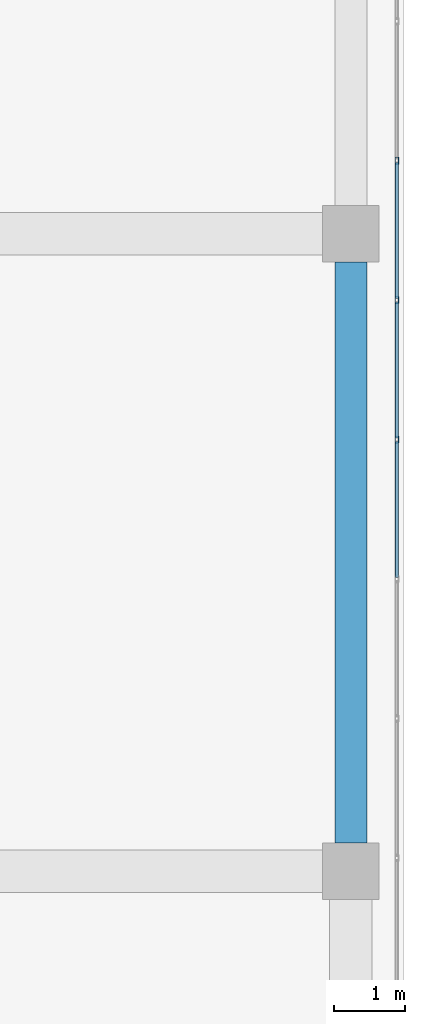
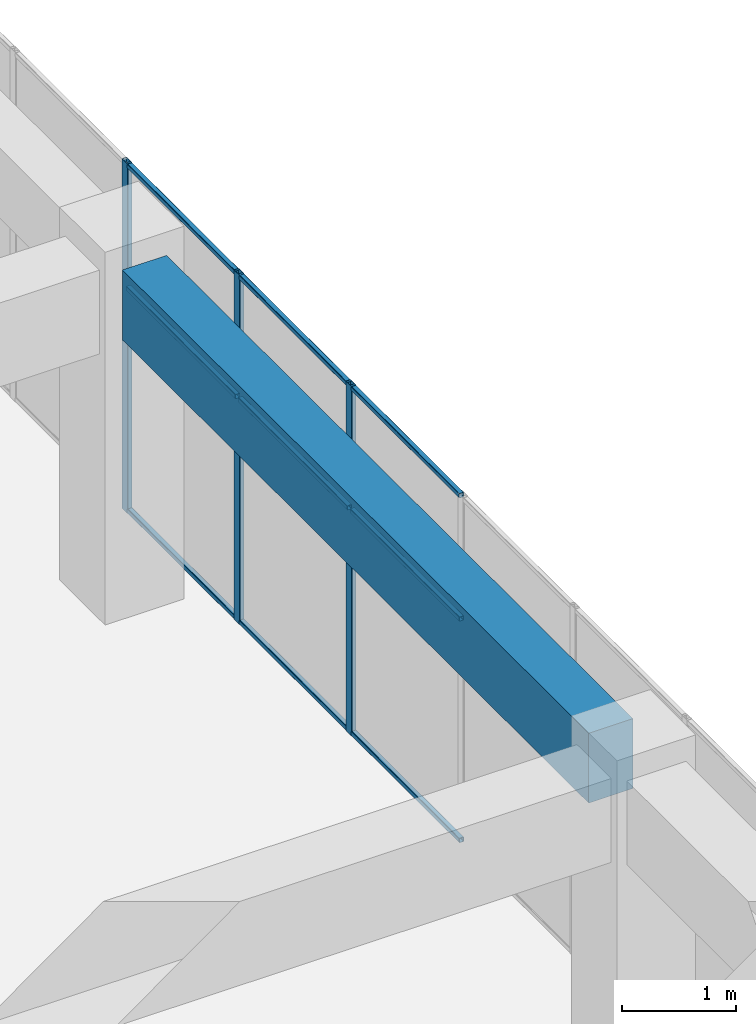
# One storey, part 38 of 55: 12 members, 1 beam, 1 element without a shape of its own.
"""IFC4 building model written with IfcOpenShell, lengths in metres."""

from ifc_helpers import new_model, si_unit, direction, frame, origin, origin_2d, place, context, subcontext, project, spatial, rectangle, hollow_rectangle, extrude, material, layer, layer_set, material_profile, profile_set, type_object, element, aggregate, save


model = new_model("IFC4")

# Units and contexts
model_context = context("Model", 3, precision=1e-05, world=origin(), true_north=direction((0.0, 1.0)))
body_context = subcontext(model_context, "Body", "Model", "MODEL_VIEW")
ifc_project = project(units=[si_unit("LENGTHUNIT", "METRE"), si_unit("AREAUNIT", "SQUARE_METRE"), si_unit("VOLUMEUNIT", "CUBIC_METRE"), si_unit("PLANEANGLEUNIT", "RADIAN"), si_unit("MASSUNIT", "GRAM", prefix="KILO")], contexts=[model_context])

# Site, building, storey
site_placement = place(None, origin())
site = spatial("IfcSite", under=ifc_project, at=site_placement, CompositionType="ELEMENT")
building_placement = place(site_placement, origin())
building = spatial("IfcBuilding", under=site, at=building_placement, Name="Tuart Plaza Theatre", CompositionType="ELEMENT")
storey_placement = place(building_placement, frame((0.0, 0.0, 21.5)))
storey = spatial("IfcBuildingStorey", under=building, at=storey_placement, Name="L05", CompositionType="ELEMENT", Elevation=21.5)

# Beam
ifc_material_1 = material(Name="Concrete N40 (40 MPa)", Category="concrete")
ifc_material_profile_1 = material_profile(ifc_material_1, rectangle(XDim=0.449951171875, YDim=0.75, at=origin_2d()), Name="BEAM 450x750 Concrete N40 (40 MPa)")
ifc_profile_set_1 = profile_set([ifc_material_profile_1], Name="Concrete N40 (40 MPa)")
beam_type = type_object("IfcBeamType", Name="BEAM 450x750 Concrete N40 (40 MPa)", PredefinedType="BEAM", material=ifc_profile_set_1)
beam_placement = place(storey_placement, frame((150.0, 56.39990234375, 3.375), z_axis=(0.0, 1.0, 0.0), x_axis=(-1.0, 0.0, 0.0)))
element("IfcBeam", 1, at=beam_placement, inside=storey, type_object=beam_type, Name="RB238", PredefinedType="BEAM", context=body_context, shape_type="SweptSolid", body=[
    extrude(rectangle(XDim=0.449951171875, YDim=0.75, at=origin_2d()), origin(), (0.0, 0.0, 1.0), 8.2001953125),
])

# Curtain wall, members
ifc_material_2 = material(Name="Aluminium and glass", Category="aluminium")
ifc_layer = layer(ifc_material_2, 0.10009765625)
ifc_layer_set = layer_set([ifc_layer], Name="CURTAIN WALL 2000 module")
curtain_wall_type = type_object("IfcCurtainWallType", Name="CURTAIN WALL 2000 module", PredefinedType="NOTDEFINED", material=ifc_layer_set)
curtain_wall_placement = place(storey_placement, origin())
curtain_wall = element("IfcCurtainWall", 2, at=curtain_wall_placement, inside=storey, type_object=curtain_wall_type, Name="CW78", PredefinedType="NOTDEFINED")
ifc_material_3 = material(Name="Aluminium 6063-T5", Category="aluminium")
ifc_material_profile_2 = material_profile(ifc_material_3, hollow_rectangle(XDim=0.050048828125, YDim=0.10009765625, WallThickness=0.00390625, InnerFilletRadius=0.00390625, OuterFilletRadius=0.008056640625, at=origin_2d()), Name="RHS 100x50x4")
ifc_profile_set_2 = profile_set([ifc_material_profile_2], Name="Aluminium 6063-T5")
member_type_1 = type_object("IfcMemberType", Name="MULLION RHS 100x50x4", PredefinedType="MULLION", material=ifc_profile_set_2)
member_1_placement = place(storey_placement, frame((150.64990234375, 62.09375, 0.0), z_axis=(0.0, 0.0, 1.0), x_axis=(-1.0, 0.0, 0.0)))
member_1 = element("IfcMember", 3, at=member_1_placement, type_object=member_type_1, Name="CW78 mullion 6", PredefinedType="MULLION", context=body_context, shape_type="SweptSolid", body=[
    extrude(hollow_rectangle(XDim=0.050048828125, YDim=0.10009765625, WallThickness=0.00390625, InnerFilletRadius=0.00390625, OuterFilletRadius=0.008056640625, at=origin_2d()), origin(), (0.0, 0.0, 1.0), 3.75),
])
member_2_placement = place(storey_placement, frame((150.64990234375, 64.0625, 0.0), z_axis=(0.0, 0.0, 1.0), x_axis=(-1.0, 0.0, 0.0)))
member_2 = element("IfcMember", 4, at=member_2_placement, type_object=member_type_1, Name="CW78 mullion 7", PredefinedType="MULLION", context=body_context, shape_type="SweptSolid", body=[
    extrude(hollow_rectangle(XDim=0.050048828125, YDim=0.10009765625, WallThickness=0.00390625, InnerFilletRadius=0.00390625, OuterFilletRadius=0.008056640625, at=origin_2d()), origin(), (0.0, 0.0, 1.0), 3.75),
])
member_3_placement = place(storey_placement, frame((150.64990234375, 66.03125, 0.0), z_axis=(0.0, 0.0, 1.0), x_axis=(-1.0, 0.0, 0.0)))
member_3 = element("IfcMember", 5, at=member_3_placement, type_object=member_type_1, Name="CW78 mullion 8", PredefinedType="MULLION", context=body_context, shape_type="SweptSolid", body=[
    extrude(hollow_rectangle(XDim=0.050048828125, YDim=0.10009765625, WallThickness=0.00390625, InnerFilletRadius=0.00390625, OuterFilletRadius=0.008056640625, at=origin_2d()), origin(), (0.0, 0.0, 1.0), 3.75),
])
ifc_material_4 = material(Name="Aluminium 6063-T5", Category="aluminium")
ifc_material_profile_3 = material_profile(ifc_material_4, hollow_rectangle(XDim=0.050048828125, YDim=0.050048828125, WallThickness=0.00390625, InnerFilletRadius=0.00390625, OuterFilletRadius=0.008056640625, at=origin_2d()), Name="RHS 50x50x4")
ifc_profile_set_3 = profile_set([ifc_material_profile_3], Name="Aluminium 6063-T5")
member_type_2 = type_object("IfcMemberType", Name="TRANSOM RHS 50x50x4", PredefinedType="USERDEFINED", material=ifc_profile_set_3)
member_4_placement = place(storey_placement, frame((150.64990234375, 60.14990234375, 0.02490234375), z_axis=(0.0, 1.0, 0.0), x_axis=(-1.0, 0.0, 0.0)))
member_4 = element("IfcMember", 6, at=member_4_placement, type_object=member_type_2, Name="CW78 transom 5.1", ObjectType="TRANSOM", PredefinedType="USERDEFINED", context=body_context, shape_type="SweptSolid", body=[
    extrude(hollow_rectangle(XDim=0.050048828125, YDim=0.050048828125, WallThickness=0.00390625, InnerFilletRadius=0.00390625, OuterFilletRadius=0.008056640625, at=origin_2d()), origin(), (0.0, 0.0, 1.0), 1.9189453125),
])
member_5_placement = place(storey_placement, frame((150.64990234375, 60.14990234375, 2.39990234375), z_axis=(0.0, 1.0, 0.0), x_axis=(-1.0, 0.0, 0.0)))
member_5 = element("IfcMember", 7, at=member_5_placement, type_object=member_type_2, Name="CW78 transom 5.2", ObjectType="TRANSOM", PredefinedType="USERDEFINED", context=body_context, shape_type="SweptSolid", body=[
    extrude(hollow_rectangle(XDim=0.050048828125, YDim=0.050048828125, WallThickness=0.00390625, InnerFilletRadius=0.00390625, OuterFilletRadius=0.008056640625, at=origin_2d()), origin(), (0.0, 0.0, 1.0), 1.9189453125),
])
member_6_placement = place(storey_placement, frame((150.64990234375, 60.14990234375, 3.72509765625), z_axis=(0.0, 1.0, 0.0), x_axis=(-1.0, 0.0, 0.0)))
member_6 = element("IfcMember", 8, at=member_6_placement, type_object=member_type_2, Name="CW78 transom 5.3", ObjectType="TRANSOM", PredefinedType="USERDEFINED", context=body_context, shape_type="SweptSolid", body=[
    extrude(hollow_rectangle(XDim=0.050048828125, YDim=0.050048828125, WallThickness=0.00390625, InnerFilletRadius=0.00390625, OuterFilletRadius=0.008056640625, at=origin_2d()), origin(), (0.0, 0.0, 1.0), 1.9189453125),
])
member_7_placement = place(storey_placement, frame((150.64990234375, 62.11865234375, 0.02490234375), z_axis=(0.0, 1.0, 0.0), x_axis=(-1.0, 0.0, 0.0)))
member_7 = element("IfcMember", 9, at=member_7_placement, type_object=member_type_2, Name="CW78 transom 6.1", ObjectType="TRANSOM", PredefinedType="USERDEFINED", context=body_context, shape_type="SweptSolid", body=[
    extrude(hollow_rectangle(XDim=0.050048828125, YDim=0.050048828125, WallThickness=0.00390625, InnerFilletRadius=0.00390625, OuterFilletRadius=0.008056640625, at=origin_2d()), origin(), (0.0, 0.0, 1.0), 1.9189453125),
])
member_8_placement = place(storey_placement, frame((150.64990234375, 62.11865234375, 2.39990234375), z_axis=(0.0, 1.0, 0.0), x_axis=(-1.0, 0.0, 0.0)))
member_8 = element("IfcMember", 10, at=member_8_placement, type_object=member_type_2, Name="CW78 transom 6.2", ObjectType="TRANSOM", PredefinedType="USERDEFINED", context=body_context, shape_type="SweptSolid", body=[
    extrude(hollow_rectangle(XDim=0.050048828125, YDim=0.050048828125, WallThickness=0.00390625, InnerFilletRadius=0.00390625, OuterFilletRadius=0.008056640625, at=origin_2d()), origin(), (0.0, 0.0, 1.0), 1.9189453125),
])
member_9_placement = place(storey_placement, frame((150.64990234375, 62.11865234375, 3.72509765625), z_axis=(0.0, 1.0, 0.0), x_axis=(-1.0, 0.0, 0.0)))
member_9 = element("IfcMember", 11, at=member_9_placement, type_object=member_type_2, Name="CW78 transom 6.3", ObjectType="TRANSOM", PredefinedType="USERDEFINED", context=body_context, shape_type="SweptSolid", body=[
    extrude(hollow_rectangle(XDim=0.050048828125, YDim=0.050048828125, WallThickness=0.00390625, InnerFilletRadius=0.00390625, OuterFilletRadius=0.008056640625, at=origin_2d()), origin(), (0.0, 0.0, 1.0), 1.9189453125),
])
member_10_placement = place(storey_placement, frame((150.64990234375, 64.08740234375, 0.02490234375), z_axis=(0.0, 1.0, 0.0), x_axis=(-1.0, 0.0, 0.0)))
member_10 = element("IfcMember", 12, at=member_10_placement, type_object=member_type_2, Name="CW78 transom 7.1", ObjectType="TRANSOM", PredefinedType="USERDEFINED", context=body_context, shape_type="SweptSolid", body=[
    extrude(hollow_rectangle(XDim=0.050048828125, YDim=0.050048828125, WallThickness=0.00390625, InnerFilletRadius=0.00390625, OuterFilletRadius=0.008056640625, at=origin_2d()), origin(), (0.0, 0.0, 1.0), 1.9189453125),
])
member_11_placement = place(storey_placement, frame((150.64990234375, 64.08740234375, 2.39990234375), z_axis=(0.0, 1.0, 0.0), x_axis=(-1.0, 0.0, 0.0)))
member_11 = element("IfcMember", 13, at=member_11_placement, type_object=member_type_2, Name="CW78 transom 7.2", ObjectType="TRANSOM", PredefinedType="USERDEFINED", context=body_context, shape_type="SweptSolid", body=[
    extrude(hollow_rectangle(XDim=0.050048828125, YDim=0.050048828125, WallThickness=0.00390625, InnerFilletRadius=0.00390625, OuterFilletRadius=0.008056640625, at=origin_2d()), origin(), (0.0, 0.0, 1.0), 1.9189453125),
])
member_12_placement = place(storey_placement, frame((150.64990234375, 64.08740234375, 3.72509765625), z_axis=(0.0, 1.0, 0.0), x_axis=(-1.0, 0.0, 0.0)))
member_12 = element("IfcMember", 14, at=member_12_placement, type_object=member_type_2, Name="CW78 transom 7.3", ObjectType="TRANSOM", PredefinedType="USERDEFINED", context=body_context, shape_type="SweptSolid", body=[
    extrude(hollow_rectangle(XDim=0.050048828125, YDim=0.050048828125, WallThickness=0.00390625, InnerFilletRadius=0.00390625, OuterFilletRadius=0.008056640625, at=origin_2d()), origin(), (0.0, 0.0, 1.0), 1.9189453125),
])
aggregate(curtain_wall, [member_1, member_2, member_3, member_4, member_5, member_6, member_7, member_8, member_9, member_10, member_11, member_12])

save(model, "model.ifc")
